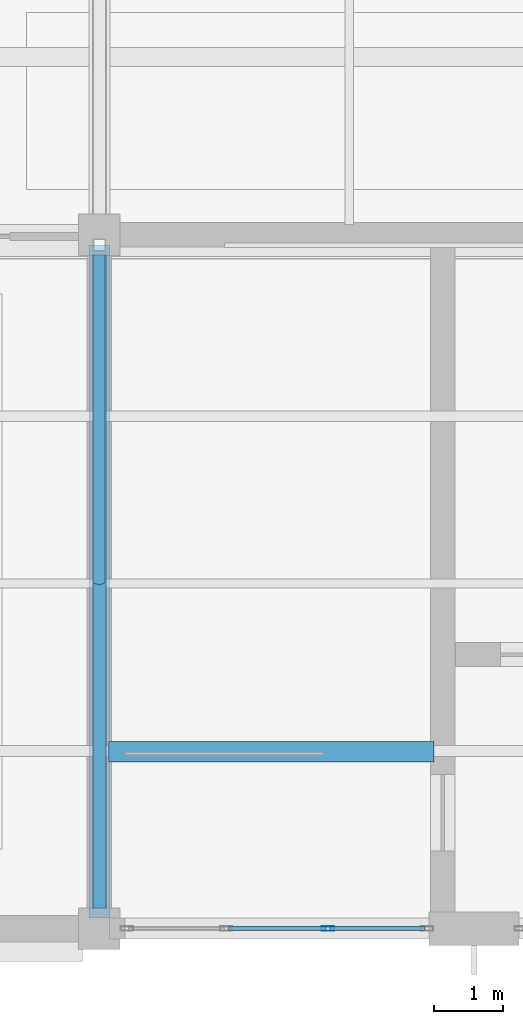
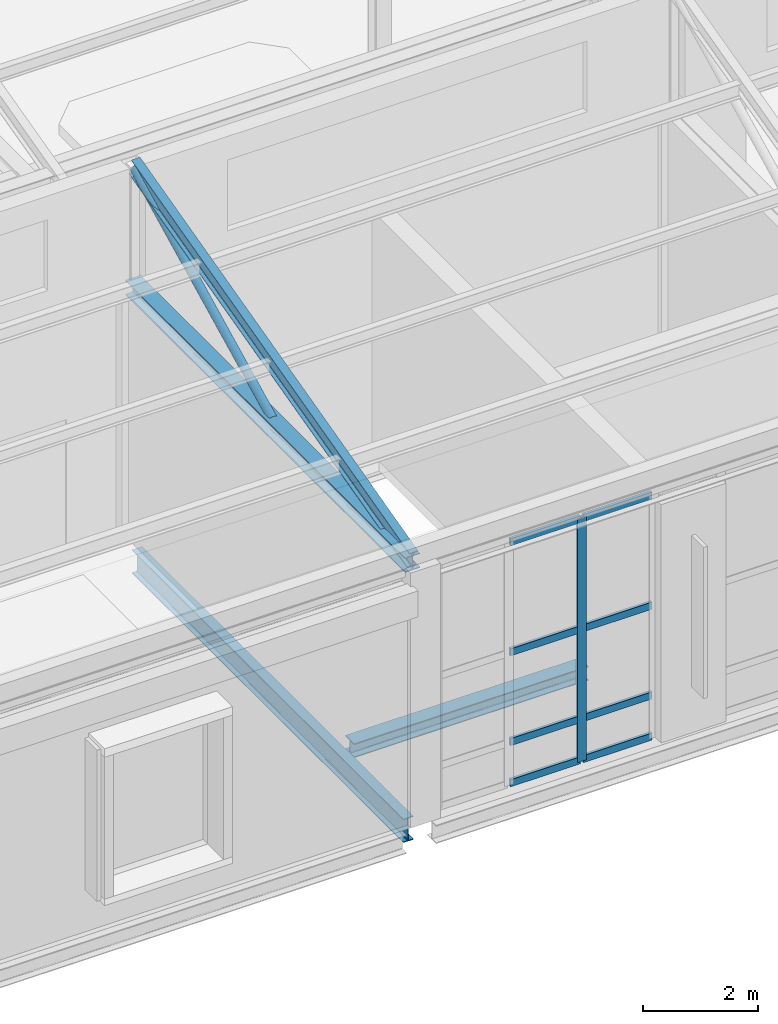
# One storey, part 5 of 49: 12 members, 2 beams, 1 element without a shape of its own.
"""IFC4 building model written with IfcOpenShell, lengths in metres."""

from ifc_helpers import new_model, si_unit, direction, frame, origin, origin_2d, place, context, subcontext, project, spatial, hollow_rectangle, hollow_circle, i_section, extrude, material, layer, layer_set, material_profile, profile_set, type_object, element, aggregate, save


model = new_model("IFC4")

# Units and contexts
model_context = context("Model", 3, precision=1e-05, world=origin(), true_north=direction((0.0, 1.0)))
body_context = subcontext(model_context, "Body", "Model", "MODEL_VIEW")
ifc_project = project(units=[si_unit("LENGTHUNIT", "METRE"), si_unit("AREAUNIT", "SQUARE_METRE"), si_unit("VOLUMEUNIT", "CUBIC_METRE"), si_unit("PLANEANGLEUNIT", "RADIAN"), si_unit("MASSUNIT", "GRAM", prefix="KILO")], contexts=[model_context])

# Site, building, storey
site_placement = place(None, origin())
site = spatial("IfcSite", under=ifc_project, at=site_placement, CompositionType="ELEMENT")
building_placement = place(site_placement, origin())
building = spatial("IfcBuilding", under=site, at=building_placement, Name="Tasgan Crest Museum", CompositionType="ELEMENT")
storey_placement = place(building_placement, frame((0.0, 0.0, 28.800048828125)))
storey = spatial("IfcBuildingStorey", under=building, at=storey_placement, Name="L05", CompositionType="ELEMENT", Elevation=28.800048828125)

# Beams
ifc_material_1 = material(Name="Steel S355J2", Category="steel")
ifc_material_profile_1 = material_profile(ifc_material_1, i_section(OverallWidth=0.300048828125, OverallDepth=0.300048828125, WebThickness=0.010986328125, FlangeThickness=0.01904296875, FilletRadius=0.027099609375, at=origin_2d()), Name="HEB 300")
ifc_profile_set_1 = profile_set([ifc_material_profile_1], Name="Steel S355J2")
beam_type_1 = type_object("IfcBeamType", Name="BM-G-HEB300", PredefinedType="BEAM", material=ifc_profile_set_1)
beam_1_placement = place(storey_placement, frame((10.929931640625, 84.550048828125, -0.150146484375), z_axis=(1.0, 0.0, 0.0), x_axis=(0.0, 1.0, 0.0)))
element("IfcBeam", 1, at=beam_1_placement, inside=storey, type_object=beam_type_1, Name="North-West Gallery Core top stair trimmer L05", PredefinedType="BEAM", context=body_context, shape_type="SweptSolid", body=[
    extrude(i_section(OverallWidth=0.300048828125, OverallDepth=0.300048828125, WebThickness=0.010986328125, FlangeThickness=0.01904296875, FilletRadius=0.027099609375, at=origin_2d()), origin(), (0.0, 0.0, 1.0), 4.690185546875),
])
ifc_material_2 = material(Name="Steel S355J2", Category="steel")
ifc_material_profile_2 = material_profile(ifc_material_2, i_section(OverallWidth=0.199951171875, OverallDepth=0.5, WebThickness=0.01025390625, FlangeThickness=0.01611328125, FilletRadius=0.02099609375, at=origin_2d()), Name="IPE 500")
ifc_profile_set_2 = profile_set([ifc_material_profile_2], Name="Steel S355J2")
beam_type_2 = type_object("IfcBeamType", Name="BM-G-IPE500", PredefinedType="BEAM", material=ifc_profile_set_2)
beam_2_placement = place(storey_placement, frame((10.800048828125, 82.294921875, -0.489990234375), z_axis=(0.0, 1.0, 0.0), x_axis=(-1.0, 0.0, 0.0)))
element("IfcBeam", 2, at=beam_2_placement, inside=storey, type_object=beam_type_2, Name="Beam L05 2 82.0-92.0", PredefinedType="BEAM", context=body_context, shape_type="SweptSolid", body=[
    extrude(i_section(OverallWidth=0.199951171875, OverallDepth=0.5, WebThickness=0.01025390625, FlangeThickness=0.01611328125, FilletRadius=0.02099609375, at=origin_2d()), origin(), (0.0, 0.0, 1.0), 9.41015625),
])

# Curtain wall, members
ifc_material_3 = material(Name="Triple-Glazed Aluminium Curtain Wall", Category="aluminium")
ifc_layer = layer(ifc_material_3, 0.179931640625, Name="CW-CORE-STRIP-54")
ifc_layer_set = layer_set([ifc_layer], Name="Triple-Glazed Aluminium Curtain Wall")
curtain_wall_type = type_object("IfcCurtainWallType", Name="CW-CORE-STRIP-54", PredefinedType="NOTDEFINED", material=ifc_layer_set)
curtain_wall_placement = place(storey_placement, origin())
curtain_wall = element("IfcCurtainWall", 3, at=curtain_wall_placement, inside=storey, type_object=curtain_wall_type, Name="Curtain wall L05 211", PredefinedType="NOTDEFINED")
ifc_material_4 = material(Name="Anodised Aluminium", Category="aluminium")
ifc_material_profile_3 = material_profile(ifc_material_4, hollow_rectangle(XDim=0.06494140625, YDim=0.179931640625, WallThickness=0.0048828125, at=origin_2d()), Name="ALU MULLION 180x65x5")
ifc_profile_set_3 = profile_set([ifc_material_profile_3], Name="Anodised Aluminium")
member_type_1 = type_object("IfcMemberType", Name="CW-MULLION-180", PredefinedType="MULLION", material=ifc_profile_set_3)
member_1_placement = place(storey_placement, frame((14.091552734375, 82.0, 0.0), z_axis=(0.0, 0.0, 1.0), x_axis=(0.0, 1.0, 0.0)))
member_1 = element("IfcMember", 4, at=member_1_placement, type_object=member_type_1, Name="CW21 mullion 3", PredefinedType="MULLION", context=body_context, shape_type="SweptSolid", body=[
    extrude(hollow_rectangle(XDim=0.06494140625, YDim=0.179931640625, WallThickness=0.0048828125, at=origin_2d()), origin(), (0.0, 0.0, 1.0), 5.159912109375),
])
ifc_material_5 = material(Name="Anodised Aluminium", Category="aluminium")
ifc_material_profile_4 = material_profile(ifc_material_5, hollow_rectangle(XDim=0.06005859375, YDim=0.14990234375, WallThickness=0.0048828125, at=origin_2d()), Name="ALU TRANSOM 150x60x5")
ifc_profile_set_4 = profile_set([ifc_material_profile_4], Name="Anodised Aluminium")
member_type_2 = type_object("IfcMemberType", Name="CW-TRANSOM-150", PredefinedType="USERDEFINED", material=ifc_profile_set_4)
member_2_placement = place(storey_placement, frame((12.658447265625, 82.0, 0.030029296875), z_axis=(1.0, 0.0, 0.0), x_axis=(0.0, 1.0, 0.0)))
member_2 = element("IfcMember", 5, at=member_2_placement, type_object=member_type_2, Name="CW21 transom 2.1", ObjectType="TRANSOM", PredefinedType="USERDEFINED", context=body_context, shape_type="SweptSolid", body=[
    extrude(hollow_rectangle(XDim=0.06005859375, YDim=0.14990234375, WallThickness=0.0048828125, at=origin_2d()), origin(), (0.0, 0.0, 1.0), 1.4033203125),
])
member_3_placement = place(storey_placement, frame((12.658447265625, 82.0, 0.89990234375), z_axis=(1.0, 0.0, 0.0), x_axis=(0.0, 1.0, 0.0)))
member_3 = element("IfcMember", 6, at=member_3_placement, type_object=member_type_2, Name="CW21 transom 2.2", ObjectType="TRANSOM", PredefinedType="USERDEFINED", context=body_context, shape_type="SweptSolid", body=[
    extrude(hollow_rectangle(XDim=0.06005859375, YDim=0.14990234375, WallThickness=0.0048828125, at=origin_2d()), origin(), (0.0, 0.0, 1.0), 1.4033203125),
])
member_4_placement = place(storey_placement, frame((12.658447265625, 82.0, 2.800048828125), z_axis=(1.0, 0.0, 0.0), x_axis=(0.0, 1.0, 0.0)))
member_4 = element("IfcMember", 7, at=member_4_placement, type_object=member_type_2, Name="CW21 transom 2.3", ObjectType="TRANSOM", PredefinedType="USERDEFINED", context=body_context, shape_type="SweptSolid", body=[
    extrude(hollow_rectangle(XDim=0.06005859375, YDim=0.14990234375, WallThickness=0.0048828125, at=origin_2d()), origin(), (0.0, 0.0, 1.0), 1.4033203125),
])
member_5_placement = place(storey_placement, frame((12.658447265625, 82.0, 5.1298828125), z_axis=(1.0, 0.0, 0.0), x_axis=(0.0, 1.0, 0.0)))
member_5 = element("IfcMember", 8, at=member_5_placement, type_object=member_type_2, Name="CW21 transom 2.4", ObjectType="TRANSOM", PredefinedType="USERDEFINED", context=body_context, shape_type="SweptSolid", body=[
    extrude(hollow_rectangle(XDim=0.06005859375, YDim=0.14990234375, WallThickness=0.0048828125, at=origin_2d()), origin(), (0.0, 0.0, 1.0), 1.4033203125),
])
member_6_placement = place(storey_placement, frame((14.12158203125, 82.0, 0.030029296875), z_axis=(1.0, 0.0, 0.0), x_axis=(0.0, 1.0, 0.0)))
member_6 = element("IfcMember", 9, at=member_6_placement, type_object=member_type_2, Name="CW21 transom 3.1", ObjectType="TRANSOM", PredefinedType="USERDEFINED", context=body_context, shape_type="SweptSolid", body=[
    extrude(hollow_rectangle(XDim=0.06005859375, YDim=0.14990234375, WallThickness=0.0048828125, at=origin_2d()), origin(), (0.0, 0.0, 1.0), 1.37353515625),
])
member_7_placement = place(storey_placement, frame((14.12158203125, 82.0, 0.89990234375), z_axis=(1.0, 0.0, 0.0), x_axis=(0.0, 1.0, 0.0)))
member_7 = element("IfcMember", 10, at=member_7_placement, type_object=member_type_2, Name="CW21 transom 3.2", ObjectType="TRANSOM", PredefinedType="USERDEFINED", context=body_context, shape_type="SweptSolid", body=[
    extrude(hollow_rectangle(XDim=0.06005859375, YDim=0.14990234375, WallThickness=0.0048828125, at=origin_2d()), origin(), (0.0, 0.0, 1.0), 1.37353515625),
])
member_8_placement = place(storey_placement, frame((14.12158203125, 82.0, 2.800048828125), z_axis=(1.0, 0.0, 0.0), x_axis=(0.0, 1.0, 0.0)))
member_8 = element("IfcMember", 11, at=member_8_placement, type_object=member_type_2, Name="CW21 transom 3.3", ObjectType="TRANSOM", PredefinedType="USERDEFINED", context=body_context, shape_type="SweptSolid", body=[
    extrude(hollow_rectangle(XDim=0.06005859375, YDim=0.14990234375, WallThickness=0.0048828125, at=origin_2d()), origin(), (0.0, 0.0, 1.0), 1.37353515625),
])
member_9_placement = place(storey_placement, frame((14.12158203125, 82.0, 5.1298828125), z_axis=(1.0, 0.0, 0.0), x_axis=(0.0, 1.0, 0.0)))
member_9 = element("IfcMember", 12, at=member_9_placement, type_object=member_type_2, Name="CW21 transom 3.4", ObjectType="TRANSOM", PredefinedType="USERDEFINED", context=body_context, shape_type="SweptSolid", body=[
    extrude(hollow_rectangle(XDim=0.06005859375, YDim=0.14990234375, WallThickness=0.0048828125, at=origin_2d()), origin(), (0.0, 0.0, 1.0), 1.37353515625),
])
aggregate(curtain_wall, [member_1, member_2, member_3, member_4, member_5, member_6, member_7, member_8, member_9])

# Members
ifc_material_6 = material(Name="Steel S355K2", Category="steel")
ifc_material_profile_5 = material_profile(ifc_material_6, i_section(OverallWidth=0.300048828125, OverallDepth=0.31005859375, WebThickness=0.009033203125, FlangeThickness=0.015380859375, FilletRadius=0.027099609375, at=origin_2d()), Name="HEA 320")
ifc_profile_set_5 = profile_set([ifc_material_profile_5], Name="Steel S355K2")
member_type_3 = type_object("IfcMemberType", Name="TR-SAW-CHORD", PredefinedType="CHORD", material=ifc_profile_set_5)
member_10_placement = place(storey_placement, frame((10.800048828125, 82.14990234375, 5.239990234375), z_axis=(0.0, 1.0, 0.0), x_axis=(-1.0, 0.0, 0.0)))
element("IfcMember", 13, at=member_10_placement, inside=storey, type_object=member_type_3, Name="Roof truss bottom chord B1 2", PredefinedType="CHORD", context=body_context, shape_type="SweptSolid", body=[
    extrude(i_section(OverallWidth=0.300048828125, OverallDepth=0.31005859375, WebThickness=0.009033203125, FlangeThickness=0.015380859375, FilletRadius=0.027099609375, at=origin_2d()), origin(), (0.0, 0.0, 1.0), 9.7001953125),
])
ifc_material_7 = material(Name="Steel S355K2", Category="steel")
ifc_material_profile_6 = material_profile(ifc_material_7, hollow_circle(Radius=0.084228515625, WallThickness=0.008056640625, at=origin_2d()), Name="CHS 168.3x8")
ifc_profile_set_6 = profile_set([ifc_material_profile_6], Name="Steel S355K2")
member_type_4 = type_object("IfcMemberType", Name="TR-SAW-DIAG", PredefinedType="BRACE", material=ifc_profile_set_6)
member_11_placement = place(storey_placement, frame((10.800048828125, 87.0, 5.349853515625), z_axis=(0.0, 0.894418092416, 0.447231792205), x_axis=(-1.0, 0.0, 0.0)))
element("IfcMember", 14, at=member_11_placement, inside=storey, type_object=member_type_4, Name="Roof truss diagonal B1 2", PredefinedType="BRACE", context=body_context, shape_type="SweptSolid", body=[
    extrude(hollow_circle(Radius=0.084228515625, WallThickness=0.008056640625, at=origin_2d()), origin(), (0.0, 0.0, 1.0), 5.36669921875),
])
ifc_material_8 = material(Name="Steel S355K2", Category="steel")
ifc_material_profile_7 = material_profile(ifc_material_8, i_section(OverallWidth=0.169921875, OverallDepth=0.360107421875, WebThickness=0.008056640625, FlangeThickness=0.0126953125, FilletRadius=0.01806640625, at=origin_2d()), Name="IPE 360")
ifc_profile_set_7 = profile_set([ifc_material_profile_7], Name="Steel S355K2")
member_type_5 = type_object("IfcMemberType", Name="TR-SAW-RAFTER", PredefinedType="RAFTER", material=ifc_profile_set_7)
member_12_placement = place(storey_placement, frame((10.800048828125, 82.14990234375, 5.320068359375), z_axis=(0.0, 0.968528888954, 0.248901167657), x_axis=(-1.0, 0.0, 0.0)))
element("IfcMember", 15, at=member_12_placement, inside=storey, type_object=member_type_5, Name="Roof truss rafter B1 2", PredefinedType="RAFTER", context=body_context, shape_type="SweptSolid", body=[
    extrude(i_section(OverallWidth=0.169921875, OverallDepth=0.360107421875, WebThickness=0.008056640625, FlangeThickness=0.0126953125, FilletRadius=0.01806640625, at=origin_2d()), origin(), (0.0, 0.0, 1.0), 9.963623046875),
])

save(model, "model.ifc")
